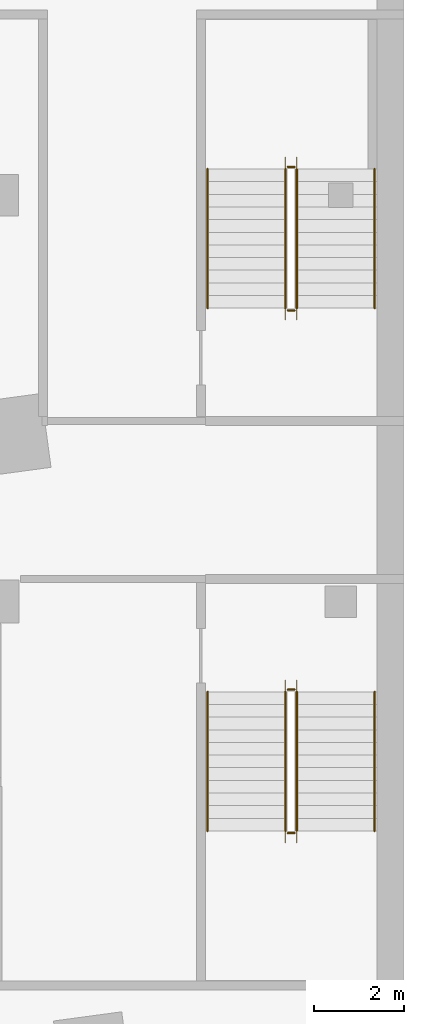
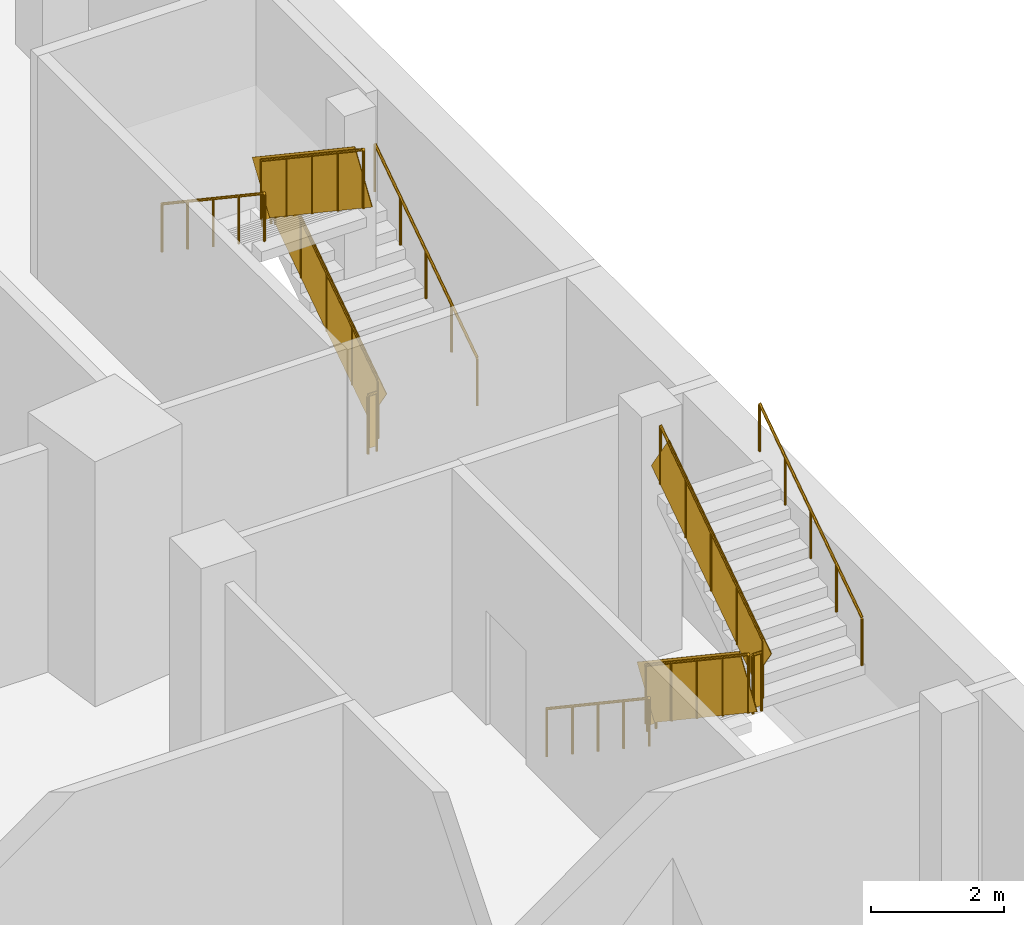
# One storey, part 9 of 11: 12 railings.
"""IFC4 building model written with IfcOpenShell, lengths in metres."""

from ifc_helpers import new_model, si_unit, direction, frame, origin, origin_2d, place, context, subcontext, project, spatial, rectangle, circle, extrude, material, type_object, element, save


model = new_model("IFC4")

# Units and contexts
model_context = context("Model", 3, precision=1e-05, world=origin(), true_north=direction((0.0, 1.0)))
body_context = subcontext(model_context, "Body", "Model", "MODEL_VIEW")
ifc_project = project(units=[si_unit("LENGTHUNIT", "METRE"), si_unit("AREAUNIT", "SQUARE_METRE"), si_unit("VOLUMEUNIT", "CUBIC_METRE"), si_unit("PLANEANGLEUNIT", "RADIAN"), si_unit("MASSUNIT", "GRAM", prefix="KILO")], contexts=[model_context])

# Site, building, storey
site_placement = place(None, origin())
site = spatial("IfcSite", under=ifc_project, at=site_placement, CompositionType="ELEMENT")
building_placement = place(site_placement, origin())
building = spatial("IfcBuilding", under=site, at=building_placement, Name="Dilmun Exchange Tower", CompositionType="ELEMENT")
storey_placement = place(building_placement, frame((0.0, 0.0, -4.5)))
storey = spatial("IfcBuildingStorey", under=building, at=storey_placement, Name="B1", CompositionType="ELEMENT", Elevation=-4.5)

# Railings
ifc_material_1 = material(Name="Guard 1100")
railing_type_1 = type_object("IfcRailingType", Name="Guard 1100", PredefinedType="GUARDRAIL", material=ifc_material_1)
railing_1_placement = place(storey_placement, frame((33.3740234375, -2.0, 0.1875)))
element("IfcRailing", 1, at=railing_1_placement, inside=storey, type_object=railing_type_1, Name="B1 PS3 stair guard 1", PredefinedType="GUARDRAIL", context=body_context, shape_type="SweptSolid", body=[
    extrude(circle(Radius=0.02392578125, at=origin_2d()), frame((0.0, 0.0, 1.076171875), z_axis=(0.0, -0.830913701846, 0.55640131208), x_axis=(1.0, 0.0, 0.0)), (0.0, 0.0, 1.0), 3.706787109375),
    extrude(rectangle(XDim=0.011962890625, YDim=0.951904296875, at=origin_2d()), frame((0.0, 0.0, 0.576171875), z_axis=(0.0, -0.830913701846, 0.55640131208), x_axis=(1.0, 0.0, 0.0)), (0.0, 0.0, 1.0), 3.706787109375),
    extrude(circle(Radius=0.02099609375, at=origin_2d()), origin(), (0.0, 0.0, 1.0), 1.052001953125),
    extrude(circle(Radius=0.02099609375, at=origin_2d()), frame((0.0, -0.77001953125, 0.515625)), (0.0, 0.0, 1.0), 1.052001953125),
    extrude(circle(Radius=0.02099609375, at=origin_2d()), frame((0.0, -1.5400390625, 1.03125)), (0.0, 0.0, 1.0), 1.052001953125),
    extrude(circle(Radius=0.02099609375, at=origin_2d()), frame((0.0, -2.31005859375, 1.546875)), (0.0, 0.0, 1.0), 1.052001953125),
    extrude(circle(Radius=0.02099609375, at=origin_2d()), frame((0.0, -3.080078125, 2.0625)), (0.0, 0.0, 1.0), 1.052001953125),
])
railing_2_placement = place(storey_placement, frame((33.424072265625, -5.1298828125, 2.25)))
element("IfcRailing", 2, at=railing_2_placement, inside=storey, type_object=railing_type_1, Name="B1 PS3 stair guard 2", PredefinedType="GUARDRAIL", context=body_context, shape_type="SweptSolid", body=[
    extrude(circle(Radius=0.02392578125, at=origin_2d()), frame((0.0, 0.0, 1.076171875), z_axis=(1.0, 0.0, 0.0), x_axis=(0.0, 1.0, 0.0)), (0.0, 0.0, 1.0), 0.14990234375),
    extrude(rectangle(XDim=0.011962890625, YDim=0.951904296875, at=origin_2d()), frame((0.0, 0.0, 0.576171875), z_axis=(1.0, 0.0, 0.0), x_axis=(0.0, 1.0, 0.0)), (0.0, 0.0, 1.0), 0.14990234375),
    extrude(circle(Radius=0.02099609375, at=origin_2d()), origin(), (0.0, 0.0, 1.0), 1.052001953125),
    extrude(circle(Radius=0.02099609375, at=origin_2d()), frame((0.14990234375, 0.0, 0.0)), (0.0, 0.0, 1.0), 1.052001953125),
])
railing_3_placement = place(storey_placement, frame((33.6240234375, -5.080078125, 2.4375)))
element("IfcRailing", 3, at=railing_3_placement, inside=storey, type_object=railing_type_1, Name="B1 PS3 stair guard 3", PredefinedType="GUARDRAIL", context=body_context, shape_type="SweptSolid", body=[
    extrude(circle(Radius=0.02392578125, at=origin_2d()), frame((0.0, 0.0, 1.076171875), z_axis=(0.0, 0.830913701846, 0.55640131208), x_axis=(-1.0, 0.0, 0.0)), (0.0, 0.0, 1.0), 3.706787109375),
    extrude(rectangle(XDim=0.011962890625, YDim=0.951904296875, at=origin_2d()), frame((0.0, 0.0, 0.576171875), z_axis=(0.0, 0.830913701846, 0.55640131208), x_axis=(-1.0, 0.0, 0.0)), (0.0, 0.0, 1.0), 3.706787109375),
    extrude(circle(Radius=0.02099609375, at=origin_2d()), origin(), (0.0, 0.0, 1.0), 1.052001953125),
    extrude(circle(Radius=0.02099609375, at=origin_2d()), frame((0.0, 0.77001953125, 0.515625)), (0.0, 0.0, 1.0), 1.052001953125),
    extrude(circle(Radius=0.02099609375, at=origin_2d()), frame((0.0, 1.5400390625, 1.03125)), (0.0, 0.0, 1.0), 1.052001953125),
    extrude(circle(Radius=0.02099609375, at=origin_2d()), frame((0.0, 2.31005859375, 1.546875)), (0.0, 0.0, 1.0), 1.052001953125),
    extrude(circle(Radius=0.02099609375, at=origin_2d()), frame((0.0, 3.080078125, 2.0625)), (0.0, 0.0, 1.0), 1.052001953125),
])
railing_4_placement = place(storey_placement, frame((33.424072265625, -1.949951171875, 0.0)))
element("IfcRailing", 4, at=railing_4_placement, inside=storey, type_object=railing_type_1, Name="B1 PS3 stair guard 4", PredefinedType="GUARDRAIL", context=body_context, shape_type="SweptSolid", body=[
    extrude(circle(Radius=0.02392578125, at=origin_2d()), frame((0.0, 0.0, 1.076171875), z_axis=(1.0, 0.0, 0.0), x_axis=(0.0, 1.0, 0.0)), (0.0, 0.0, 1.0), 0.14990234375),
    extrude(rectangle(XDim=0.011962890625, YDim=0.951904296875, at=origin_2d()), frame((0.0, 0.0, 0.576171875), z_axis=(1.0, 0.0, 0.0), x_axis=(0.0, 1.0, 0.0)), (0.0, 0.0, 1.0), 0.14990234375),
    extrude(circle(Radius=0.02099609375, at=origin_2d()), origin(), (0.0, 0.0, 1.0), 1.052001953125),
    extrude(circle(Radius=0.02099609375, at=origin_2d()), frame((0.14990234375, 0.0, 0.0)), (0.0, 0.0, 1.0), 1.052001953125),
])
railing_5_placement = place(storey_placement, frame((33.6240234375, 6.5, 0.1875)))
element("IfcRailing", 5, at=railing_5_placement, inside=storey, type_object=railing_type_1, Name="B1 PS4 stair guard 1", PredefinedType="GUARDRAIL", context=body_context, shape_type="SweptSolid", body=[
    extrude(circle(Radius=0.02392578125, at=origin_2d()), frame((0.0, 0.0, 1.076171875), z_axis=(0.0, 0.830913701846, 0.55640131208), x_axis=(-1.0, 0.0, 0.0)), (0.0, 0.0, 1.0), 3.706787109375),
    extrude(rectangle(XDim=0.011962890625, YDim=0.951904296875, at=origin_2d()), frame((0.0, 0.0, 0.576171875), z_axis=(0.0, 0.830913701846, 0.55640131208), x_axis=(-1.0, 0.0, 0.0)), (0.0, 0.0, 1.0), 3.706787109375),
    extrude(circle(Radius=0.02099609375, at=origin_2d()), origin(), (0.0, 0.0, 1.0), 1.052001953125),
    extrude(circle(Radius=0.02099609375, at=origin_2d()), frame((0.0, 0.77001953125, 0.515625)), (0.0, 0.0, 1.0), 1.052001953125),
    extrude(circle(Radius=0.02099609375, at=origin_2d()), frame((0.0, 1.5400390625, 1.03125)), (0.0, 0.0, 1.0), 1.052001953125),
    extrude(circle(Radius=0.02099609375, at=origin_2d()), frame((0.0, 2.31005859375, 1.546875)), (0.0, 0.0, 1.0), 1.052001953125),
    extrude(circle(Radius=0.02099609375, at=origin_2d()), frame((0.0, 3.080078125, 2.0625)), (0.0, 0.0, 1.0), 1.052001953125),
])
railing_6_placement = place(storey_placement, frame((33.573974609375, 9.6298828125, 2.25)))
element("IfcRailing", 6, at=railing_6_placement, inside=storey, type_object=railing_type_1, Name="B1 PS4 stair guard 2", PredefinedType="GUARDRAIL", context=body_context, shape_type="SweptSolid", body=[
    extrude(circle(Radius=0.02392578125, at=origin_2d()), frame((0.0, 0.0, 1.076171875), z_axis=(-1.0, 0.0, 0.0), x_axis=(0.0, -1.0, 0.0)), (0.0, 0.0, 1.0), 0.14990234375),
    extrude(rectangle(XDim=0.011962890625, YDim=0.951904296875, at=origin_2d()), frame((0.0, 0.0, 0.576171875), z_axis=(-1.0, 0.0, 0.0), x_axis=(0.0, -1.0, 0.0)), (0.0, 0.0, 1.0), 0.14990234375),
    extrude(circle(Radius=0.02099609375, at=origin_2d()), origin(), (0.0, 0.0, 1.0), 1.052001953125),
    extrude(circle(Radius=0.02099609375, at=origin_2d()), frame((-0.14990234375, 0.0, 0.0)), (0.0, 0.0, 1.0), 1.052001953125),
])
railing_7_placement = place(storey_placement, frame((33.3740234375, 9.580078125, 2.4375)))
element("IfcRailing", 7, at=railing_7_placement, inside=storey, type_object=railing_type_1, Name="B1 PS4 stair guard 3", PredefinedType="GUARDRAIL", context=body_context, shape_type="SweptSolid", body=[
    extrude(circle(Radius=0.02392578125, at=origin_2d()), frame((0.0, 0.0, 1.076171875), z_axis=(0.0, -0.830913701846, 0.55640131208), x_axis=(1.0, 0.0, 0.0)), (0.0, 0.0, 1.0), 3.706787109375),
    extrude(rectangle(XDim=0.011962890625, YDim=0.951904296875, at=origin_2d()), frame((0.0, 0.0, 0.576171875), z_axis=(0.0, -0.830913701846, 0.55640131208), x_axis=(1.0, 0.0, 0.0)), (0.0, 0.0, 1.0), 3.706787109375),
    extrude(circle(Radius=0.02099609375, at=origin_2d()), origin(), (0.0, 0.0, 1.0), 1.052001953125),
    extrude(circle(Radius=0.02099609375, at=origin_2d()), frame((0.0, -0.77001953125, 0.515625)), (0.0, 0.0, 1.0), 1.052001953125),
    extrude(circle(Radius=0.02099609375, at=origin_2d()), frame((0.0, -1.5400390625, 1.03125)), (0.0, 0.0, 1.0), 1.052001953125),
    extrude(circle(Radius=0.02099609375, at=origin_2d()), frame((0.0, -2.31005859375, 1.546875)), (0.0, 0.0, 1.0), 1.052001953125),
    extrude(circle(Radius=0.02099609375, at=origin_2d()), frame((0.0, -3.080078125, 2.0625)), (0.0, 0.0, 1.0), 1.052001953125),
])
railing_8_placement = place(storey_placement, frame((33.573974609375, 6.449951171875, 0.0)))
element("IfcRailing", 8, at=railing_8_placement, inside=storey, type_object=railing_type_1, Name="B1 PS4 stair guard 4", PredefinedType="GUARDRAIL", context=body_context, shape_type="SweptSolid", body=[
    extrude(circle(Radius=0.02392578125, at=origin_2d()), frame((0.0, 0.0, 1.076171875), z_axis=(-1.0, 0.0, 0.0), x_axis=(0.0, -1.0, 0.0)), (0.0, 0.0, 1.0), 0.14990234375),
    extrude(rectangle(XDim=0.011962890625, YDim=0.951904296875, at=origin_2d()), frame((0.0, 0.0, 0.576171875), z_axis=(-1.0, 0.0, 0.0), x_axis=(0.0, -1.0, 0.0)), (0.0, 0.0, 1.0), 0.14990234375),
    extrude(circle(Radius=0.02099609375, at=origin_2d()), origin(), (0.0, 0.0, 1.0), 1.052001953125),
    extrude(circle(Radius=0.02099609375, at=origin_2d()), frame((-0.14990234375, 0.0, 0.0)), (0.0, 0.0, 1.0), 1.052001953125),
])
ifc_material_2 = material(Name="Handrail 900")
railing_type_2 = type_object("IfcRailingType", Name="Handrail 900", PredefinedType="HANDRAIL", material=ifc_material_2)
railing_9_placement = place(storey_placement, frame((31.64990234375, -2.0, 0.1875)))
element("IfcRailing", 9, at=railing_9_placement, inside=storey, type_object=railing_type_2, Name="B1 PS3 stair handrail 1", PredefinedType="HANDRAIL", context=body_context, shape_type="SweptSolid", body=[
    extrude(circle(Radius=0.02392578125, at=origin_2d()), frame((0.0, 0.0, 0.8759765625), z_axis=(0.0, -0.830913701846, 0.55640131208), x_axis=(1.0, 0.0, 0.0)), (0.0, 0.0, 1.0), 3.706787109375),
    extrude(circle(Radius=0.02099609375, at=origin_2d()), origin(), (0.0, 0.0, 1.0), 0.851806640625),
    extrude(circle(Radius=0.02099609375, at=origin_2d()), frame((0.0, -0.77001953125, 0.515625)), (0.0, 0.0, 1.0), 0.851806640625),
    extrude(circle(Radius=0.02099609375, at=origin_2d()), frame((0.0, -1.5400390625, 1.03125)), (0.0, 0.0, 1.0), 0.851806640625),
    extrude(circle(Radius=0.02099609375, at=origin_2d()), frame((0.0, -2.31005859375, 1.546875)), (0.0, 0.0, 1.0), 0.851806640625),
    extrude(circle(Radius=0.02099609375, at=origin_2d()), frame((0.0, -3.080078125, 2.0625)), (0.0, 0.0, 1.0), 0.851806640625),
])
for number, where, name in (
    (10, (35.347900390625, -5.080078125, 2.4375), "B1 PS3 stair handrail 2"),
    (11, (35.347900390625, 6.5, 0.1875), "B1 PS4 stair handrail 1"),
):
    element("IfcRailing", number, at=place(storey_placement, frame(where)), inside=storey, type_object=railing_type_2, Name=name, PredefinedType="HANDRAIL", context=body_context, shape_type="SweptSolid", body=[
        extrude(circle(Radius=0.02392578125, at=origin_2d()), frame((0.0, 0.0, 0.8759765625), z_axis=(0.0, 0.830913701846, 0.55640131208), x_axis=(-1.0, 0.0, 0.0)), (0.0, 0.0, 1.0), 3.706787109375),
        extrude(circle(Radius=0.02099609375, at=origin_2d()), origin(), (0.0, 0.0, 1.0), 0.851806640625),
        extrude(circle(Radius=0.02099609375, at=origin_2d()), frame((0.0, 0.77001953125, 0.515625)), (0.0, 0.0, 1.0), 0.851806640625),
        extrude(circle(Radius=0.02099609375, at=origin_2d()), frame((0.0, 1.5400390625, 1.03125)), (0.0, 0.0, 1.0), 0.851806640625),
        extrude(circle(Radius=0.02099609375, at=origin_2d()), frame((0.0, 2.31005859375, 1.546875)), (0.0, 0.0, 1.0), 0.851806640625),
        extrude(circle(Radius=0.02099609375, at=origin_2d()), frame((0.0, 3.080078125, 2.0625)), (0.0, 0.0, 1.0), 0.851806640625),
    ])
railing_10_placement = place(storey_placement, frame((31.64990234375, 9.580078125, 2.4375)))
element("IfcRailing", 12, at=railing_10_placement, inside=storey, type_object=railing_type_2, Name="B1 PS4 stair handrail 2", PredefinedType="HANDRAIL", context=body_context, shape_type="SweptSolid", body=[
    extrude(circle(Radius=0.02392578125, at=origin_2d()), frame((0.0, 0.0, 0.8759765625), z_axis=(0.0, -0.830913701846, 0.55640131208), x_axis=(1.0, 0.0, 0.0)), (0.0, 0.0, 1.0), 3.706787109375),
    extrude(circle(Radius=0.02099609375, at=origin_2d()), origin(), (0.0, 0.0, 1.0), 0.851806640625),
    extrude(circle(Radius=0.02099609375, at=origin_2d()), frame((0.0, -0.77001953125, 0.515625)), (0.0, 0.0, 1.0), 0.851806640625),
    extrude(circle(Radius=0.02099609375, at=origin_2d()), frame((0.0, -1.5400390625, 1.03125)), (0.0, 0.0, 1.0), 0.851806640625),
    extrude(circle(Radius=0.02099609375, at=origin_2d()), frame((0.0, -2.31005859375, 1.546875)), (0.0, 0.0, 1.0), 0.851806640625),
    extrude(circle(Radius=0.02099609375, at=origin_2d()), frame((0.0, -3.080078125, 2.0625)), (0.0, 0.0, 1.0), 0.851806640625),
])

save(model, "model.ifc")
